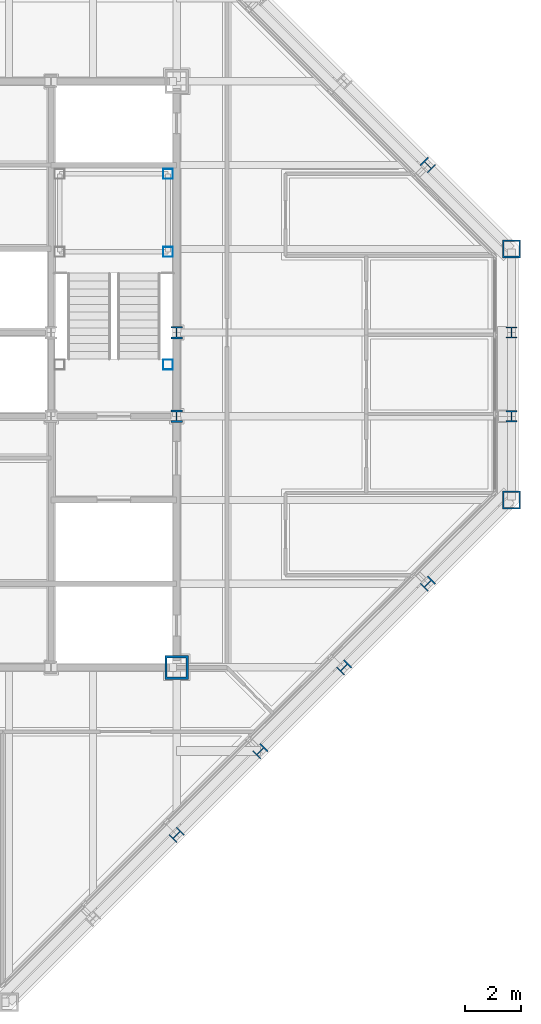
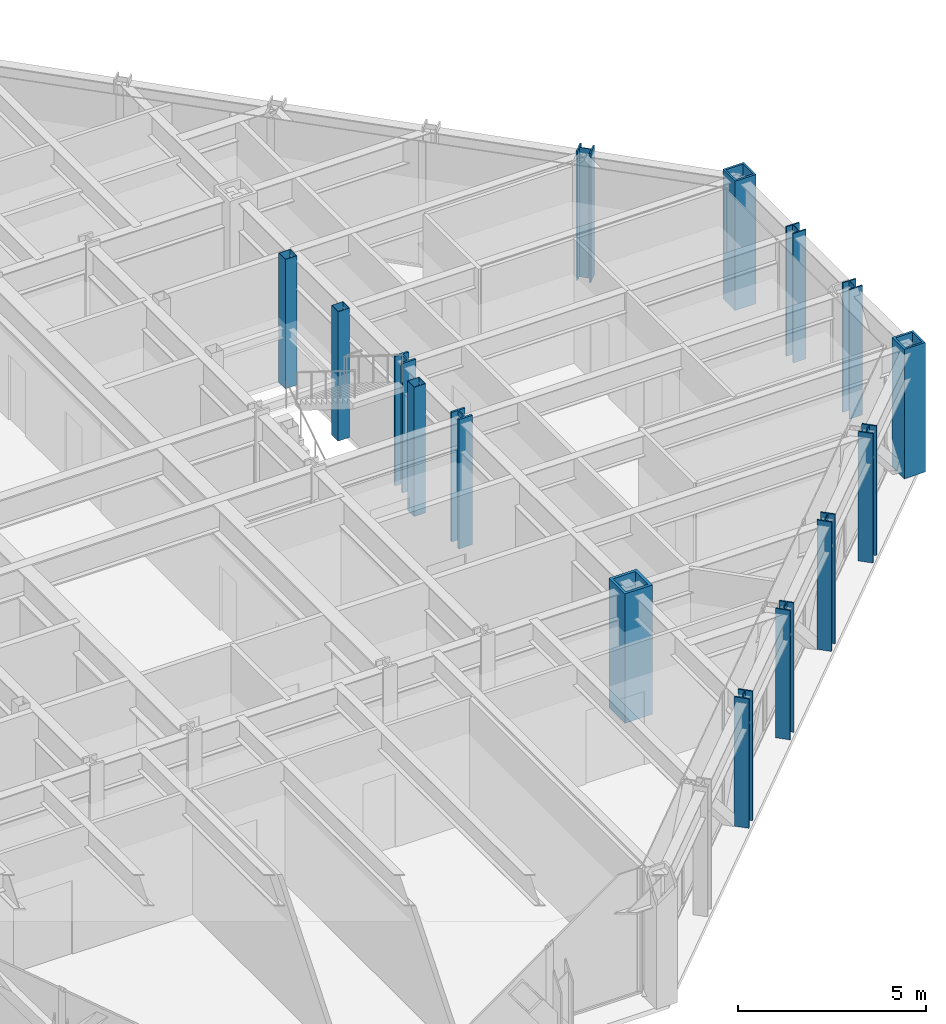
# One storey, part 3 of 15: 15 columns.
"""IFC4 building model written with IfcOpenShell, lengths in metres."""

from ifc_helpers import new_model, si_unit, direction, frame, origin, origin_2d, place, context, subcontext, project, spatial, hollow_rectangle, i_section, extrude, material, material_profile, profile_set, type_object, element, save


model = new_model("IFC4")

# Units and contexts
model_context = context("Model", 3, precision=1e-05, world=origin(), true_north=direction((0.0, 1.0)))
body_context = subcontext(model_context, "Body", "Model", "MODEL_VIEW")
ifc_project = project(units=[si_unit("LENGTHUNIT", "METRE"), si_unit("AREAUNIT", "SQUARE_METRE"), si_unit("VOLUMEUNIT", "CUBIC_METRE"), si_unit("PLANEANGLEUNIT", "RADIAN"), si_unit("MASSUNIT", "GRAM", prefix="KILO")], contexts=[model_context])

# Site, building, storey
site_placement = place(None, origin())
site = spatial("IfcSite", under=ifc_project, at=site_placement, CompositionType="ELEMENT")
building_placement = place(site_placement, origin())
building = spatial("IfcBuilding", under=site, at=building_placement, Name="Chuquiago Exchange Tower", CompositionType="ELEMENT")
storey_placement = place(building_placement, frame((0.0, 0.0, 291.60009765625)))
storey = spatial("IfcBuildingStorey", under=building, at=storey_placement, Name="L65", CompositionType="ELEMENT", Elevation=291.60009765625)

# Columns
ifc_material_1 = material(Name="Steel ASTM A992", Category="steel")
ifc_material_profile_1 = material_profile(ifc_material_1, i_section(OverallWidth=0.4013671875, OverallDepth=0.398681640625, WebThickness=0.02490234375, FlangeThickness=0.03955078125, at=origin_2d()), Name="W14X211")
ifc_profile_set_1 = profile_set([ifc_material_profile_1], Name="Steel ASTM A992")
column_type_1 = type_object("IfcColumnType", Name="C9 W14X211", PredefinedType="COLUMN", material=ifc_profile_set_1)
for number, where, z_axis, x_axis, name in (
    (1, (45.0, 21.0, 0.0), (0.0, 0.0, 1.0), (1.0, 0.0, 0.0), "COL-L65-45_21"),
    (2, (45.0, 24.0, 0.0), (0.0, 0.0, 1.0), (1.0, 0.0, 0.0), "COL-L65-45_24"),
):
    element("IfcColumn", number, at=place(storey_placement, frame(where, z_axis=z_axis, x_axis=x_axis)), inside=storey, type_object=column_type_1, Name=name, PredefinedType="COLUMN", context=body_context, shape_type="SweptSolid", body=[
        extrude(i_section(OverallWidth=0.4013671875, OverallDepth=0.398681640625, WebThickness=0.02490234375, FlangeThickness=0.03955078125, at=origin_2d()), origin(), (0.0, 0.0, 1.0), 4.199951171875),
    ])
ifc_material_2 = material(Name="Steel ASTM A572 Grade 50", Category="steel")
ifc_material_profile_2 = material_profile(ifc_material_2, hollow_rectangle(XDim=0.85009765625, YDim=0.85009765625, WallThickness=0.0849609375, at=origin_2d()), Name="BOX850X850X85")
ifc_profile_set_2 = profile_set([ifc_material_profile_2], Name="Steel ASTM A572 Grade 50")
column_type_2 = type_object("IfcColumnType", Name="CC6 BOX850X850X85", PredefinedType="COLUMN", material=ifc_profile_set_2)
column_placement = place(storey_placement, frame((33.0, 12.0, 0.0), z_axis=(0.0, 0.0, 1.0), x_axis=(1.0, 0.0, 0.0)))
element("IfcColumn", 3, at=column_placement, inside=storey, type_object=column_type_2, Name="CCOL-L65-33_12", PredefinedType="COLUMN", context=body_context, shape_type="SweptSolid", body=[
    extrude(hollow_rectangle(XDim=0.85009765625, YDim=0.85009765625, WallThickness=0.0849609375, at=origin_2d()), origin(), (0.0, 0.0, 1.0), 4.199951171875),
])
ifc_material_3 = material(Name="Steel ASTM A992", Category="steel")
ifc_material_profile_3 = material_profile(ifc_material_3, i_section(OverallWidth=0.41650390625, OverallDepth=0.444580078125, WebThickness=0.0390625, FlangeThickness=0.062744140625, at=origin_2d()), Name="W14X342")
ifc_profile_set_3 = profile_set([ifc_material_profile_3], Name="Steel ASTM A992")
column_type_3 = type_object("IfcColumnType", Name="CC9 W14X342", PredefinedType="COLUMN", material=ifc_profile_set_3)
for number, where, z_axis, x_axis, name in (
    (4, (33.0, 21.0, 0.0), (0.0, 0.0, 1.0), (1.0, 0.0, 0.0), "CCOL-L65-33_21"),
    (5, (33.0, 24.0, 0.0), (0.0, 0.0, 1.0), (1.0, 0.0, 0.0), "CCOL-L65-33_24"),
):
    element("IfcColumn", number, at=place(storey_placement, frame(where, z_axis=z_axis, x_axis=x_axis)), inside=storey, type_object=column_type_3, Name=name, PredefinedType="COLUMN", context=body_context, shape_type="SweptSolid", body=[
        extrude(i_section(OverallWidth=0.41650390625, OverallDepth=0.444580078125, WebThickness=0.0390625, FlangeThickness=0.062744140625, at=origin_2d()), origin(), (0.0, 0.0, 1.0), 4.199951171875),
    ])
ifc_material_4 = material(Name="Steel ASTM A992", Category="steel")
ifc_material_profile_4 = material_profile(ifc_material_4, i_section(OverallWidth=0.40380859375, OverallDepth=0.406494140625, WebThickness=0.027099609375, FlangeThickness=0.043701171875, at=origin_2d()), Name="W14X233")
ifc_profile_set_4 = profile_set([ifc_material_profile_4], Name="Steel ASTM A992")
column_type_4 = type_object("IfcColumnType", Name="CK8 W14X233", PredefinedType="COLUMN", material=ifc_profile_set_4)
for number, where, z_axis, x_axis, name in (
    (6, (33.0, 6.0, 0.0), (0.0, 0.0, 1.0), (0.707106781187, -0.707106781187, 0.0), "COL-L65-33_6"),
    (7, (36.0, 9.0, 0.0), (0.0, 0.0, 1.0), (0.707106781187, -0.707106781187, 0.0), "COL-L65-36_9"),
    (8, (39.0, 12.0, 0.0), (0.0, 0.0, 1.0), (0.707106781187, -0.707106781187, 0.0), "COL-L65-39_12"),
    (9, (42.0, 15.0, 0.0), (0.0, 0.0, 1.0), (0.707106781187, -0.707106781187, 0.0), "COL-L65-42_15"),
    (10, (42.0, 30.0, 0.0), (0.0, 0.0, 1.0), (0.707106781187, 0.707106781187, 0.0), "COL-L65-42_30"),
):
    element("IfcColumn", number, at=place(storey_placement, frame(where, z_axis=z_axis, x_axis=x_axis)), inside=storey, type_object=column_type_4, Name=name, PredefinedType="COLUMN", context=body_context, shape_type="SweptSolid", body=[
        extrude(i_section(OverallWidth=0.40380859375, OverallDepth=0.406494140625, WebThickness=0.027099609375, FlangeThickness=0.043701171875, at=origin_2d()), origin(), (0.0, 0.0, 1.0), 4.199951171875),
    ])
ifc_material_5 = material(Name="Steel ASTM A572 Grade 50", Category="steel")
ifc_material_profile_5 = material_profile(ifc_material_5, hollow_rectangle(XDim=0.64990234375, YDim=0.64990234375, WallThickness=0.06494140625, at=origin_2d()), Name="BOX650X650X65")
ifc_profile_set_5 = profile_set([ifc_material_profile_5], Name="Steel ASTM A572 Grade 50")
column_type_5 = type_object("IfcColumnType", Name="CN2 BOX650X650X65", PredefinedType="COLUMN", material=ifc_profile_set_5)
for number, where, z_axis, x_axis, name in (
    (11, (45.0, 18.0, 0.0), (0.0, 0.0, 1.0), (1.0, 0.0, 0.0), "COL-L65-45_18"),
    (12, (45.0, 27.0, 0.0), (0.0, 0.0, 1.0), (1.0, 0.0, 0.0), "COL-L65-45_27"),
):
    element("IfcColumn", number, at=place(storey_placement, frame(where, z_axis=z_axis, x_axis=x_axis)), inside=storey, type_object=column_type_5, Name=name, PredefinedType="COLUMN", context=body_context, shape_type="SweptSolid", body=[
        extrude(hollow_rectangle(XDim=0.64990234375, YDim=0.64990234375, WallThickness=0.06494140625, at=origin_2d()), origin(), (0.0, 0.0, 1.0), 4.199951171875),
    ])
ifc_material_6 = material(Name="Steel ASTM A500 Grade C", Category="steel")
ifc_material_profile_6 = material_profile(ifc_material_6, hollow_rectangle(XDim=0.355712890625, YDim=0.355712890625, WallThickness=0.0087890625, at=origin_2d()), Name="HSS14X14X3/8")
ifc_profile_set_6 = profile_set([ifc_material_profile_6], Name="Steel ASTM A500 Grade C")
column_type_6 = type_object("IfcColumnType", Name="PT1 HSS14X14X3/8", PredefinedType="COLUMN", material=ifc_profile_set_6)
for number, where, z_axis, x_axis, name in (
    (13, (32.68994140625, 29.68994140625, 0.0), (0.0, 0.0, 1.0), (1.0, 0.0, 0.0), "Stair ST2 L65 landing post"),
    (14, (32.68994140625, 26.889892578125, 0.0), (0.0, 0.0, 1.0), (1.0, 0.0, 0.0), "Stair ST2 L65 landing post"),
    (15, (32.68994140625, 22.85009765625, 0.0), (0.0, 0.0, 1.0), (1.0, 0.0, 0.0), "Stair ST2 L65 landing post"),
):
    element("IfcColumn", number, at=place(storey_placement, frame(where, z_axis=z_axis, x_axis=x_axis)), inside=storey, type_object=column_type_6, Name=name, PredefinedType="COLUMN", context=body_context, shape_type="SweptSolid", body=[
        extrude(hollow_rectangle(XDim=0.355712890625, YDim=0.355712890625, WallThickness=0.0087890625, at=origin_2d()), origin(), (0.0, 0.0, 1.0), 4.199951171875),
    ])

save(model, "model.ifc")
